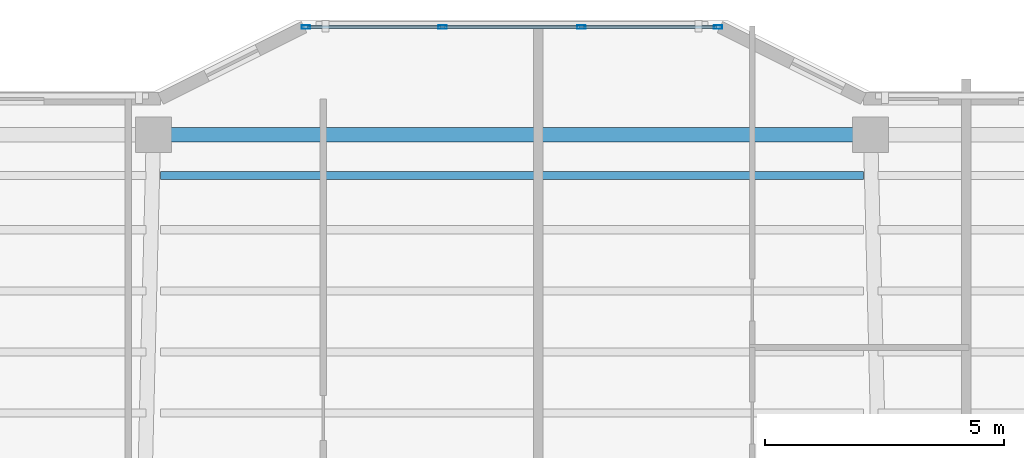
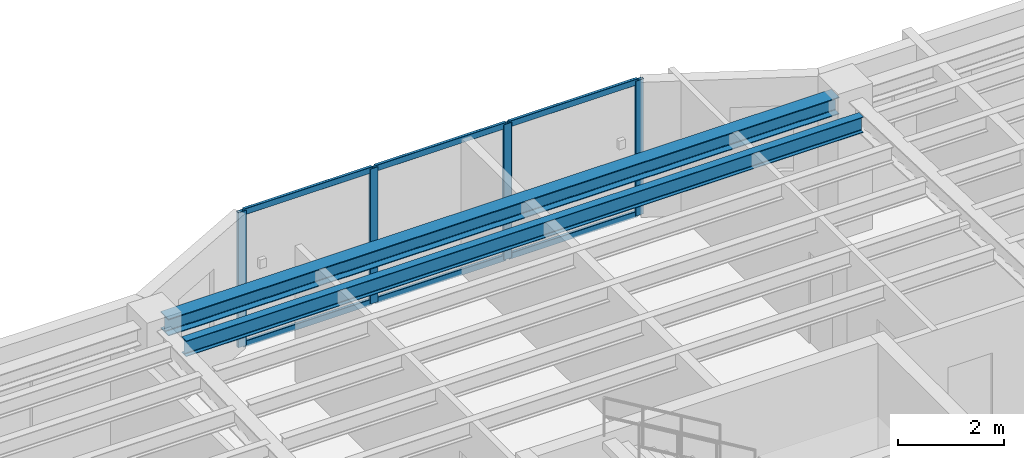
# One storey, part 2 of 11: 10 members, 2 beams, 1 element without a shape of its own.
"""IFC4 building model written with IfcOpenShell, lengths in metres."""

from ifc_helpers import new_model, si_unit, direction, frame, origin, origin_2d, place, context, subcontext, project, spatial, hollow_rectangle, i_section, extrude, material, layer, layer_set, material_profile, profile_set, type_object, element, aggregate, save


model = new_model("IFC4")

# Units and contexts
model_context = context("Model", 3, precision=1e-05, world=origin(), true_north=direction((0.0, 1.0)))
body_context = subcontext(model_context, "Body", "Model", "MODEL_VIEW")
ifc_project = project(units=[si_unit("LENGTHUNIT", "METRE"), si_unit("AREAUNIT", "SQUARE_METRE"), si_unit("VOLUMEUNIT", "CUBIC_METRE"), si_unit("PLANEANGLEUNIT", "RADIAN"), si_unit("MASSUNIT", "GRAM", prefix="KILO")], contexts=[model_context])

# Site, building, storey
site_placement = place(None, origin())
site = spatial("IfcSite", under=ifc_project, at=site_placement, CompositionType="ELEMENT")
building_placement = place(site_placement, origin())
building = spatial("IfcBuilding", under=site, at=building_placement, Name="Tarnavaz Court Tower", CompositionType="ELEMENT")
storey_placement = place(building_placement, frame((0.0, 0.0, 217.050048828125)))
storey = spatial("IfcBuildingStorey", under=building, at=storey_placement, Name="L59", CompositionType="ELEMENT", Elevation=217.050048828125)

# Beams
ifc_material_1 = material(Name="Steel S355", Category="steel")
ifc_material_profile_1 = material_profile(ifc_material_1, i_section(OverallWidth=0.169921875, OverallDepth=0.360107421875, WebThickness=0.008056640625, FlangeThickness=0.0126953125, FilletRadius=0.01806640625, at=origin_2d()), Name="IPE 360")
ifc_profile_set_1 = profile_set([ifc_material_profile_1], Name="Steel S355")
beam_type_1 = type_object("IfcBeamType", Name="BM-J-IPE360", PredefinedType="JOIST", material=ifc_profile_set_1)
beam_1_placement = place(storey_placement, frame((-7.35009765625, 19.248046875, 2.919921875), z_axis=(1.0, 0.0, 0.0), x_axis=(0.0, 1.0, 0.0)))
element("IfcBeam", 1, at=beam_1_placement, inside=storey, type_object=beam_type_1, Name="L59 Beam JN5-2", PredefinedType="JOIST", context=body_context, shape_type="SweptSolid", body=[
    extrude(i_section(OverallWidth=0.169921875, OverallDepth=0.360107421875, WebThickness=0.008056640625, FlangeThickness=0.0126953125, FilletRadius=0.01806640625, at=origin_2d()), origin(), (0.0, 0.0, 1.0), 14.7001953125),
])
ifc_material_profile_2 = material_profile(ifc_material_1, i_section(OverallWidth=0.300048828125, OverallDepth=0.389892578125, WebThickness=0.010986328125, FlangeThickness=0.01904296875, FilletRadius=0.027099609375, at=origin_2d()), Name="HEA 400")
ifc_profile_set_2 = profile_set([ifc_material_profile_2], Name="Steel S355")
beam_type_2 = type_object("IfcBeamType", Name="BM-SP-HEA400", PredefinedType="BEAM", material=ifc_profile_set_2)
beam_2_placement = place(storey_placement, frame((-7.280029296875, 20.10009765625, 2.905029296875), z_axis=(1.0, 0.0, 0.0), x_axis=(0.0, 1.0, 0.0)))
element("IfcBeam", 2, at=beam_2_placement, inside=storey, type_object=beam_type_2, Name="L59 Beam PR-PN-2-PN-3", PredefinedType="BEAM", context=body_context, shape_type="SweptSolid", body=[
    extrude(i_section(OverallWidth=0.300048828125, OverallDepth=0.389892578125, WebThickness=0.010986328125, FlangeThickness=0.01904296875, FilletRadius=0.027099609375, at=origin_2d()), origin(), (0.0, 0.0, 1.0), 14.56005859375),
])

# Curtain wall, members
ifc_material_2 = material(Name="Anodised Aluminium 6063-T6 and Solar Low-E Glazing", Category="aluminium")
ifc_layer = layer(ifc_material_2, 0.159912109375)
ifc_layer_set = layer_set([ifc_layer], Name="Anodised Aluminium 6063-T6 and Solar Low-E Glazing")
curtain_wall_type = type_object("IfcCurtainWallType", Name="CW-SYS-03", PredefinedType="NOTDEFINED", material=ifc_layer_set)
curtain_wall_placement = place(storey_placement, origin())
curtain_wall = element("IfcCurtainWall", 3, at=curtain_wall_placement, inside=storey, type_object=curtain_wall_type, Name="L59 Iwan Prow Curtain Wall 7", PredefinedType="NOTDEFINED")
ifc_material_3 = material(Name="Anodised Aluminium 6063-T6", Category="aluminium")
ifc_material_profile_3 = material_profile(ifc_material_3, hollow_rectangle(XDim=0.074951171875, YDim=0.179931640625, WallThickness=0.0048828125, InnerFilletRadius=0.0048828125, OuterFilletRadius=0.010009765625, at=origin_2d()), Name="ALU RHS 180X75X5")
ifc_profile_set_3 = profile_set([ifc_material_profile_3], Name="Anodised Aluminium 6063-T6")
member_type_1 = type_object("IfcMemberType", Name="CW-MUL-180", PredefinedType="MULLION", material=ifc_profile_set_3)
member_1_placement = place(storey_placement, frame((-4.3125, 22.35009765625, 0.0), z_axis=(0.0, 0.0, 1.0), x_axis=(0.0, 1.0, 0.0)))
member_1 = element("IfcMember", 4, at=member_1_placement, type_object=member_type_1, Name="CW mullion 1", PredefinedType="MULLION", context=body_context, shape_type="SweptSolid", body=[
    extrude(hollow_rectangle(XDim=0.074951171875, YDim=0.179931640625, WallThickness=0.0048828125, InnerFilletRadius=0.0048828125, OuterFilletRadius=0.010009765625, at=origin_2d()), origin(), (0.0, 0.0, 1.0), 3.099853515625),
])
member_2_placement = place(storey_placement, frame((-1.449951171875, 22.35009765625, 0.0), z_axis=(0.0, 0.0, 1.0), x_axis=(0.0, 1.0, 0.0)))
member_2 = element("IfcMember", 5, at=member_2_placement, type_object=member_type_1, Name="CW mullion 2", PredefinedType="MULLION", context=body_context, shape_type="SweptSolid", body=[
    extrude(hollow_rectangle(XDim=0.074951171875, YDim=0.179931640625, WallThickness=0.0048828125, InnerFilletRadius=0.0048828125, OuterFilletRadius=0.010009765625, at=origin_2d()), origin(), (0.0, 0.0, 1.0), 3.099853515625),
])
member_3_placement = place(storey_placement, frame((1.449951171875, 22.35009765625, 0.0), z_axis=(0.0, 0.0, 1.0), x_axis=(0.0, 1.0, 0.0)))
member_3 = element("IfcMember", 6, at=member_3_placement, type_object=member_type_1, Name="CW mullion 3", PredefinedType="MULLION", context=body_context, shape_type="SweptSolid", body=[
    extrude(hollow_rectangle(XDim=0.074951171875, YDim=0.179931640625, WallThickness=0.0048828125, InnerFilletRadius=0.0048828125, OuterFilletRadius=0.010009765625, at=origin_2d()), origin(), (0.0, 0.0, 1.0), 3.099853515625),
])
member_4_placement = place(storey_placement, frame((4.3125, 22.35009765625, 0.0), z_axis=(0.0, 0.0, 1.0), x_axis=(0.0, 1.0, 0.0)))
member_4 = element("IfcMember", 7, at=member_4_placement, type_object=member_type_1, Name="CW mullion 4", PredefinedType="MULLION", context=body_context, shape_type="SweptSolid", body=[
    extrude(hollow_rectangle(XDim=0.074951171875, YDim=0.179931640625, WallThickness=0.0048828125, InnerFilletRadius=0.0048828125, OuterFilletRadius=0.010009765625, at=origin_2d()), origin(), (0.0, 0.0, 1.0), 3.099853515625),
])
ifc_material_profile_4 = material_profile(ifc_material_3, hollow_rectangle(XDim=0.06494140625, YDim=0.139892578125, WallThickness=0.00390625, InnerFilletRadius=0.00390625, OuterFilletRadius=0.008056640625, at=origin_2d()), Name="ALU RHS 140X65X4")
ifc_profile_set_4 = profile_set([ifc_material_profile_4], Name="Anodised Aluminium 6063-T6")
member_type_2 = type_object("IfcMemberType", Name="CW-TRN-140", PredefinedType="USERDEFINED", material=ifc_profile_set_4)
member_5_placement = place(storey_placement, frame((-4.27490234375, 22.35009765625, 0.032470703125), z_axis=(1.0, 0.0, 0.0), x_axis=(0.0, 1.0, 0.0)))
member_5 = element("IfcMember", 8, at=member_5_placement, type_object=member_type_2, Name="CW transom 1.1", ObjectType="TRANSOM", PredefinedType="USERDEFINED", context=body_context, shape_type="SweptSolid", body=[
    extrude(hollow_rectangle(XDim=0.06494140625, YDim=0.139892578125, WallThickness=0.00390625, InnerFilletRadius=0.00390625, OuterFilletRadius=0.008056640625, at=origin_2d()), origin(), (0.0, 0.0, 1.0), 2.787353515625),
])
member_6_placement = place(storey_placement, frame((-4.27490234375, 22.35009765625, 3.0673828125), z_axis=(1.0, 0.0, 0.0), x_axis=(0.0, 1.0, 0.0)))
member_6 = element("IfcMember", 9, at=member_6_placement, type_object=member_type_2, Name="CW transom 1.2", ObjectType="TRANSOM", PredefinedType="USERDEFINED", context=body_context, shape_type="SweptSolid", body=[
    extrude(hollow_rectangle(XDim=0.06494140625, YDim=0.139892578125, WallThickness=0.00390625, InnerFilletRadius=0.00390625, OuterFilletRadius=0.008056640625, at=origin_2d()), origin(), (0.0, 0.0, 1.0), 2.787353515625),
])
member_7_placement = place(storey_placement, frame((-1.41259765625, 22.35009765625, 0.032470703125), z_axis=(1.0, 0.0, 0.0), x_axis=(0.0, 1.0, 0.0)))
member_7 = element("IfcMember", 10, at=member_7_placement, type_object=member_type_2, Name="CW transom 2.1", ObjectType="TRANSOM", PredefinedType="USERDEFINED", context=body_context, shape_type="SweptSolid", body=[
    extrude(hollow_rectangle(XDim=0.06494140625, YDim=0.139892578125, WallThickness=0.00390625, InnerFilletRadius=0.00390625, OuterFilletRadius=0.008056640625, at=origin_2d()), origin(), (0.0, 0.0, 1.0), 2.8251953125),
])
member_8_placement = place(storey_placement, frame((-1.41259765625, 22.35009765625, 3.0673828125), z_axis=(1.0, 0.0, 0.0), x_axis=(0.0, 1.0, 0.0)))
member_8 = element("IfcMember", 11, at=member_8_placement, type_object=member_type_2, Name="CW transom 2.2", ObjectType="TRANSOM", PredefinedType="USERDEFINED", context=body_context, shape_type="SweptSolid", body=[
    extrude(hollow_rectangle(XDim=0.06494140625, YDim=0.139892578125, WallThickness=0.00390625, InnerFilletRadius=0.00390625, OuterFilletRadius=0.008056640625, at=origin_2d()), origin(), (0.0, 0.0, 1.0), 2.8251953125),
])
member_9_placement = place(storey_placement, frame((1.487548828125, 22.35009765625, 0.032470703125), z_axis=(1.0, 0.0, 0.0), x_axis=(0.0, 1.0, 0.0)))
member_9 = element("IfcMember", 12, at=member_9_placement, type_object=member_type_2, Name="CW transom 3.1", ObjectType="TRANSOM", PredefinedType="USERDEFINED", context=body_context, shape_type="SweptSolid", body=[
    extrude(hollow_rectangle(XDim=0.06494140625, YDim=0.139892578125, WallThickness=0.00390625, InnerFilletRadius=0.00390625, OuterFilletRadius=0.008056640625, at=origin_2d()), origin(), (0.0, 0.0, 1.0), 2.787353515625),
])
member_10_placement = place(storey_placement, frame((1.487548828125, 22.35009765625, 3.0673828125), z_axis=(1.0, 0.0, 0.0), x_axis=(0.0, 1.0, 0.0)))
member_10 = element("IfcMember", 13, at=member_10_placement, type_object=member_type_2, Name="CW transom 3.2", ObjectType="TRANSOM", PredefinedType="USERDEFINED", context=body_context, shape_type="SweptSolid", body=[
    extrude(hollow_rectangle(XDim=0.06494140625, YDim=0.139892578125, WallThickness=0.00390625, InnerFilletRadius=0.00390625, OuterFilletRadius=0.008056640625, at=origin_2d()), origin(), (0.0, 0.0, 1.0), 2.787353515625),
])
aggregate(curtain_wall, [member_1, member_2, member_3, member_4, member_5, member_6, member_7, member_8, member_9, member_10])

save(model, "model.ifc")
